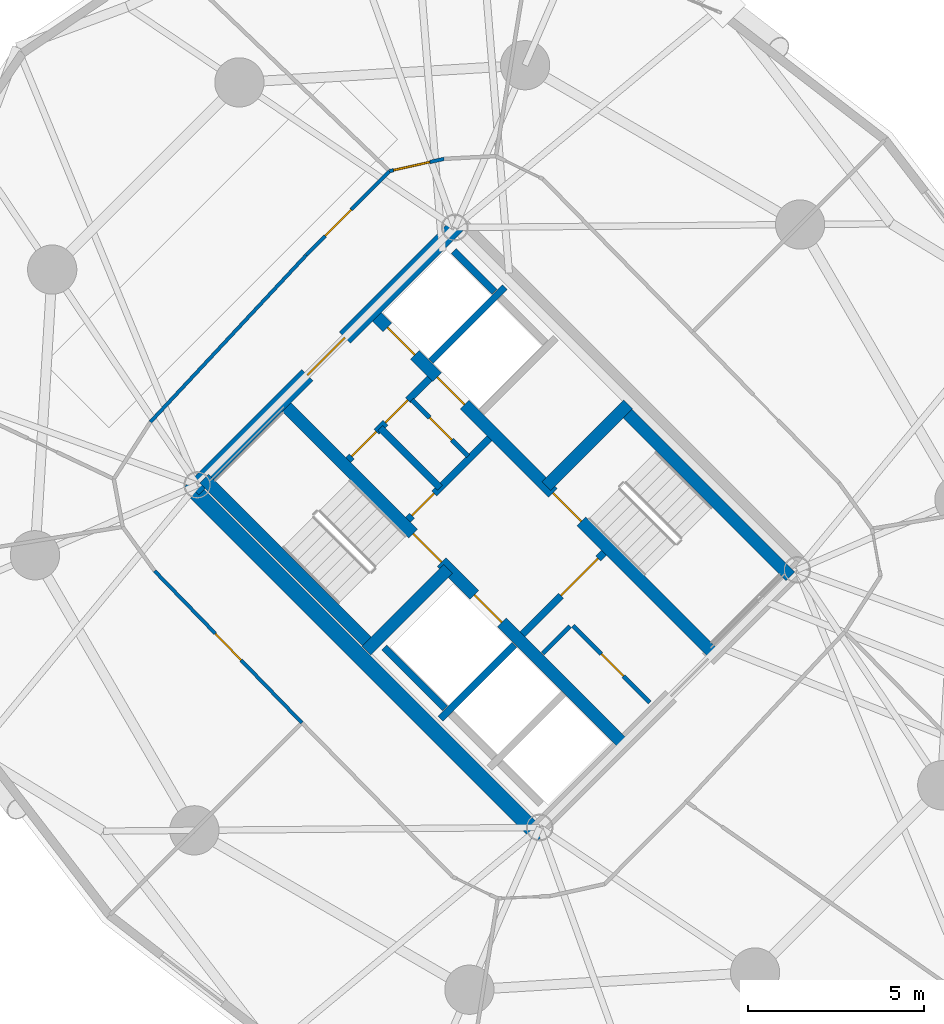
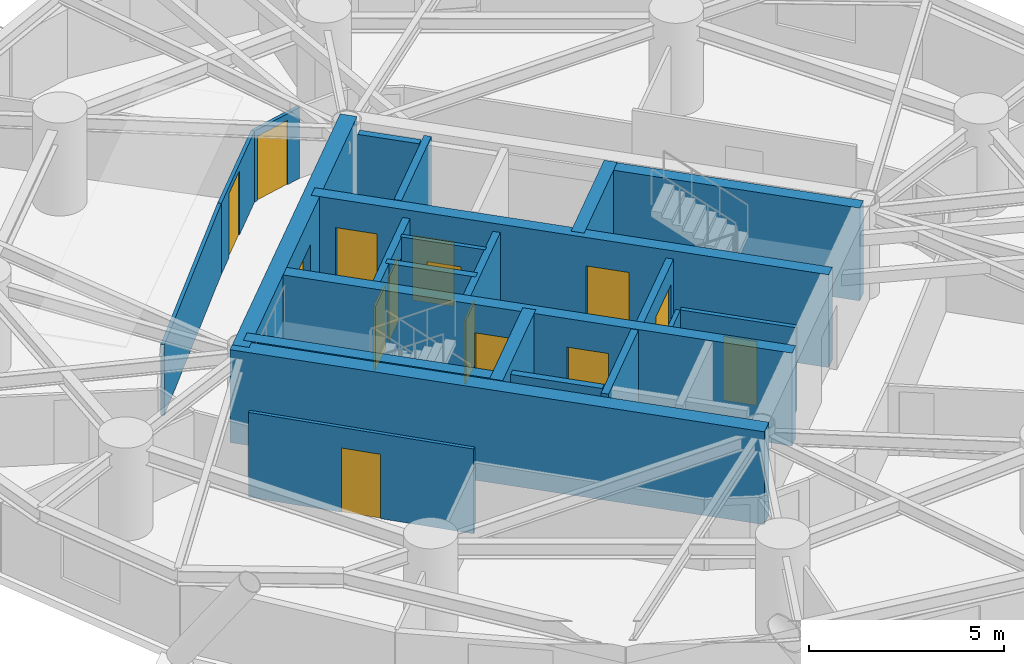
# One storey, part 13 of 18: 23 walls, 15 doors, 15 openings.
"""IFC4 building model written with IfcOpenShell, lengths in metres."""

import ifcopenshell
import ifcopenshell.guid

model = None  # the IFC model being written
_history = None  # IfcOwnerHistory: only IFC2X3 demands one
_inside = {}  # id of a spatial element -> (the spatial element, [elements in it])
_under = {}  # id of a project, library or spatial element -> (it, [spatial elements below it])
_declared = {}  # id of a project -> (the project, [libraries it declares])
_typed = {}  # id of a type object -> (the type object, [elements of that type])
_made_of = {}  # id of a material, layer set ... -> (it, [elements and type objects made of it])


def new_model(schema):
    """Start an empty IFC model of exactly this schema.

    Asked for "IFC4X3", IfcOpenShell would pick the latest addendum, in which some entities
    have other attributes; the version numbers below select the first issue.
    IFC2X3 requires an IfcOwnerHistory on every rooted entity: one is made here for all.
    """
    global model, _history
    if schema == "IFC4X3":
        model = ifcopenshell.file(schema_version=(4, 3, 0, 0))
    else:
        model = ifcopenshell.file(schema=schema)
    _inside.clear()
    _under.clear()
    _declared.clear()
    _typed.clear()
    _made_of.clear()
    _history = None
    if model.schema == "IFC2X3":
        org = make("IfcOrganization", Name="unknown")
        user = make(
            "IfcPersonAndOrganization",
            ThePerson=make("IfcPerson", FamilyName="unknown"),
            TheOrganization=org,
        )
        app = make(
            "IfcApplication",
            ApplicationDeveloper=org,
            Version="unknown",
            ApplicationFullName="unknown",
            ApplicationIdentifier="unknown",
        )
        _history = make(
            "IfcOwnerHistory",
            OwningUser=user,
            OwningApplication=app,
            ChangeAction="ADDED",
            CreationDate=0,
        )
    return model


def make(cls, **values):
    """One entity of the class cls with the attributes given. An attribute that is None is left unset."""
    return model.create_entity(
        cls, **{name: value for name, value in values.items() if value is not None}
    )


def rooted(cls, **values):
    """An entity with a GlobalId (a new one), such as an element, a storey or a relation."""
    return make(cls, GlobalId=ifcopenshell.guid.new(), OwnerHistory=_history, **values)


def si_unit(unit_type, name, prefix=None):
    """IfcSIUnit, for example si_unit("LENGTHUNIT", "METRE", prefix="MILLI")."""
    return make("IfcSIUnit", UnitType=unit_type, Prefix=prefix, Name=name)


def assignment(units):
    """IfcUnitAssignment: the units of a project."""
    return None if units is None else make("IfcUnitAssignment", Units=units)


def point(xyz):
    """IfcCartesianPoint."""
    return None if xyz is None else make("IfcCartesianPoint", Coordinates=xyz)


def direction(xyz):
    """IfcDirection."""
    return None if xyz is None else make("IfcDirection", DirectionRatios=xyz)


def frame(location, z_axis=None, x_axis=None):
    """IfcAxis2Placement3D, a coordinate frame: its origin and axes. An axis left out is left unset."""
    return make(
        "IfcAxis2Placement3D",
        Location=point(location),
        Axis=direction(z_axis),
        RefDirection=direction(x_axis),
    )


def frame_2d(location, x_axis=None):
    """IfcAxis2Placement2D, a coordinate frame in the plane: its origin and x axis."""
    return make(
        "IfcAxis2Placement2D", Location=point(location), RefDirection=direction(x_axis)
    )


def origin():
    """The frame at (0, 0, 0) with its axes left unset."""
    return frame((0.0, 0.0, 0.0))


def place(relative_to, where):
    """IfcLocalPlacement: puts the frame where relative to a parent placement (None: the world)."""
    return make(
        "IfcLocalPlacement", PlacementRelTo=relative_to, RelativePlacement=where
    )


def context(
    kind, dimensions, precision=None, world=None, true_north=None, identifier=None
):
    """IfcGeometricRepresentationContext, for example the 3D "Model" context."""
    return make(
        "IfcGeometricRepresentationContext",
        ContextIdentifier=identifier,
        ContextType=kind,
        CoordinateSpaceDimension=dimensions,
        Precision=precision,
        WorldCoordinateSystem=world,
        TrueNorth=true_north,
    )


def subcontext(parent, identifier, kind, view, scale=None):
    """IfcGeometricRepresentationSubContext, for example "Body" below "Model"."""
    return make(
        "IfcGeometricRepresentationSubContext",
        ContextIdentifier=identifier,
        ContextType=kind,
        ParentContext=parent,
        TargetScale=scale,
        TargetView=view,
    )


def project(units=None, contexts=None):
    """IfcProject with its units and contexts."""
    return rooted(
        "IfcProject",
        Name="project",
        RepresentationContexts=contexts,
        UnitsInContext=assignment(units),
    )


def spatial(cls, under=None, at=None, **own):
    """A site, building, storey or space (cls), placed at a placement, below another one or the project."""
    s = rooted(cls, ObjectPlacement=at, **own)
    if under is not None:
        _under.setdefault(under.id(), (under, []))[1].append(s)
    return s


def profile(cls, at=None, kind="AREA", **sizes):
    """A parametric profile (cls). Its sizes go by their IFC names, for example OverallWidth=200.0."""
    return make(cls, ProfileType=kind, Position=at, **sizes)


def rectangle(**sizes):
    """IfcRectangleProfileDef."""
    return profile("IfcRectangleProfileDef", **sizes)


def extrude(swept, where, along, depth):
    """IfcExtrudedAreaSolid: the profile swept, set in the frame where, extruded along a direction by depth."""
    return make(
        "IfcExtrudedAreaSolid",
        SweptArea=swept,
        Position=where,
        ExtrudedDirection=direction(along),
        Depth=depth,
    )


def shape(context_of_items, identifier, shape_type, items):
    """IfcShapeRepresentation: the items that make up one representation, for example the "Body"."""
    return make(
        "IfcShapeRepresentation",
        ContextOfItems=context_of_items,
        RepresentationIdentifier=identifier,
        RepresentationType=shape_type,
        Items=items,
    )


def source(mapping_origin, context_of_items, identifier, shape_type, items):
    """IfcRepresentationMap: a shape defined once, which mapped items show again and again."""
    return make(
        "IfcRepresentationMap",
        MappingOrigin=mapping_origin,
        MappedRepresentation=shape(context_of_items, identifier, shape_type, items),
    )


def transform(
    local_origin,
    x_axis=None,
    y_axis=None,
    z_axis=None,
    scale=None,
    scale2=None,
    scale3=None,
    uniform=True,
):
    """IfcCartesianTransformationOperator3D, or its non-uniform kind. x_axis, y_axis, z_axis: its Axis1, 2, 3."""
    if uniform:
        return make(
            "IfcCartesianTransformationOperator3D",
            Axis1=direction(x_axis),
            Axis2=direction(y_axis),
            LocalOrigin=point(local_origin),
            Scale=scale,
            Axis3=direction(z_axis),
        )
    return make(
        "IfcCartesianTransformationOperator3DnonUniform",
        Axis1=direction(x_axis),
        Axis2=direction(y_axis),
        LocalOrigin=point(local_origin),
        Scale=scale,
        Axis3=direction(z_axis),
        Scale2=scale2,
        Scale3=scale3,
    )


def mapped(mapping_source, mapping_target):
    """IfcMappedItem: shows the shape of a source again, moved by a transform."""
    return make(
        "IfcMappedItem", MappingSource=mapping_source, MappingTarget=mapping_target
    )


def material(Name=None, Category=None):
    """IfcMaterial."""
    return make("IfcMaterial", Name=Name, Category=Category)


def layer(
    of_material, thickness, ventilated=None, Name=None, Category=None, Priority=None
):
    """IfcMaterialLayer: one layer of a wall or slab, of a material (None: an air gap)."""
    return make(
        "IfcMaterialLayer",
        Material=of_material,
        LayerThickness=thickness,
        IsVentilated=ventilated,
        Name=Name,
        Category=Category,
        Priority=Priority,
    )


def layer_set(layers, Name=None):
    """IfcMaterialLayerSet."""
    return make("IfcMaterialLayerSet", MaterialLayers=layers, LayerSetName=Name)


def made_of(thing, what):
    """Note that an element or type object is made of a material, layer set ...; save() writes the relation."""
    if what is not None:
        _made_of.setdefault(what.id(), (what, []))[1].append(thing)
    return thing


def type_object(cls, material=None, **own):
    """A type object (cls), such as IfcWallType, which elements share."""
    return made_of(rooted(cls, **own), material)


def element(
    cls,
    number,
    at=None,
    inside=None,
    cuts=None,
    type_object=None,
    material=None,
    context=None,
    identifier="Body",
    shape_type=None,
    held_by="IfcProductDefinitionShape",
    body=None,
    shapes=None,
    **own,
):
    """One element of the class cls, such as IfcWall. Its Tag is "e" and its number.

    at: its placement. inside: the storey or other place that contains it. cuts: it is an
    opening in that element (IfcRelVoidsElement). A single representation is given by context,
    identifier, shape_type and body (its items); several are given by shapes. held_by: the class
    of the entity that holds the representations. save() writes the other relations.
    """
    e = rooted(cls, Tag="e%d" % number, ObjectPlacement=at, **own)
    if body is not None:
        shapes = [shape(context, identifier, shape_type, body)]
    if shapes is not None:
        e.Representation = make(held_by, Representations=shapes)
    if inside is not None:
        _inside.setdefault(inside.id(), (inside, []))[1].append(e)
    if cuts is not None:
        rooted(
            "IfcRelVoidsElement", RelatingBuildingElement=cuts, RelatedOpeningElement=e
        )
    if type_object is not None:
        _typed.setdefault(type_object.id(), (type_object, []))[1].append(e)
    return made_of(e, material)


def fill(opening, filler):
    """IfcRelFillsElement: the door or window that sits in an opening."""
    return rooted(
        "IfcRelFillsElement",
        RelatingOpeningElement=opening,
        RelatedBuildingElement=filler,
    )


def aggregate(whole, parts):
    """IfcRelAggregates: a whole, such as a stair, and the parts it consists of."""
    return rooted("IfcRelAggregates", RelatingObject=whole, RelatedObjects=parts)


def save(model, path):
    """Write the relations noted so far, then the file.

    IfcRelAggregates (storeys below a building ...), IfcRelContainedInSpatialStructure (elements
    in a storey), IfcRelDefinesByType, IfcRelAssociatesMaterial and IfcRelDeclares: one each for
    every whole, place, type object, material and project.
    """
    for whole, parts in _under.values():
        aggregate(whole, parts)
    for where, things in _inside.values():
        rooted(
            "IfcRelContainedInSpatialStructure",
            RelatedElements=things,
            RelatingStructure=where,
        )
    for kind, things in _typed.values():
        rooted("IfcRelDefinesByType", RelatedObjects=things, RelatingType=kind)
    for what, things in _made_of.values():
        rooted("IfcRelAssociatesMaterial", RelatedObjects=things, RelatingMaterial=what)
    for by, libraries in _declared.values():
        rooted("IfcRelDeclares", RelatingContext=by, RelatedDefinitions=libraries)
    model.write(path)


model = new_model("IFC4")

# Units and contexts
model_context = context("Model", 3, precision=1e-05, world=origin(), true_north=direction((0.0, 1.0)))
body_context = subcontext(model_context, "Body", "Model", "MODEL_VIEW")
ifc_project = project(units=[si_unit("LENGTHUNIT", "METRE"), si_unit("AREAUNIT", "SQUARE_METRE"), si_unit("VOLUMEUNIT", "CUBIC_METRE"), si_unit("PLANEANGLEUNIT", "RADIAN"), si_unit("MASSUNIT", "GRAM", prefix="KILO")], contexts=[model_context])

# Site, building, storey
site_placement = place(None, origin())
site = spatial("IfcSite", under=ifc_project, at=site_placement, CompositionType="ELEMENT")
building_placement = place(site_placement, origin())
building = spatial("IfcBuilding", under=site, at=building_placement, Name="Cununo Teusaquillo Station Towers", CompositionType="ELEMENT")
storey_placement = place(building_placement, frame((0.0, 0.0, 102.159912109375)))
storey = spatial("IfcBuildingStorey", under=building, at=storey_placement, Name="L32", CompositionType="ELEMENT", Elevation=102.159912109375)

# Walls
ifc_material_1 = material(Name="Concrete C50/60", Category="concrete")
ifc_layer_1 = layer(ifc_material_1, 0.199951171875)
ifc_layer_set_1 = layer_set([ifc_layer_1], Name="Concrete C50/60")
wall_type_1 = type_object("IfcWallType", Name="WL-CORE-200", PredefinedType="SHEAR", material=ifc_layer_set_1)
wall_1_placement = place(storey_placement, frame((55.8876953125, 19.0693359375, 0.0), z_axis=(0.0, 0.0, 1.0), x_axis=(0.707106781187, 0.707106781187, 0.0)))
element("IfcWall", 1, at=wall_1_placement, inside=storey, type_object=wall_type_1, Name="L32 Tower B Firefighting Lift Shaft South Shear Wall", PredefinedType="SHEAR", context=body_context, shape_type="SweptSolid", body=[
    extrude(rectangle(XDim=2.969970703125, YDim=0.199951171875, at=frame_2d((1.48486328125, 0.0))), origin(), (0.0, 0.0, 1.0), 2.91015625),
])
wall_2_placement = place(storey_placement, frame((56.01513671875, 19.366455078125, 0.0), z_axis=(0.0, 0.0, 1.0), x_axis=(-0.707106781187, 0.707106781187, 0.0)))
element("IfcWall", 2, at=wall_2_placement, inside=storey, type_object=wall_type_1, Name="L32 Tower B Firefighting Lift Shaft Rear Shear Wall", PredefinedType="SHEAR", context=body_context, shape_type="SweptSolid", body=[
    extrude(rectangle(XDim=2.43994140625, YDim=0.199951171875, at=frame_2d((1.219970703125, 0.0))), origin(), (0.0, 0.0, 1.0), 2.91015625),
])
wall_3_placement = place(storey_placement, frame((55.615478515625, 29.22705078125, 0.0), z_axis=(0.0, 0.0, 1.0), x_axis=(0.707147878904, 0.70706568108, 0.0)))
element("IfcWall", 3, at=wall_3_placement, inside=storey, type_object=wall_type_1, Name="L32 Tower B Low-Rise Lift Hoistway Divider Shear Wall", PredefinedType="SHEAR", context=body_context, shape_type="SweptSolid", body=[
    extrude(rectangle(XDim=2.97021484375, YDim=0.199951171875, at=frame_2d((1.485107421875, 0.0))), origin(), (0.0, 0.0, 1.0), 2.91015625),
])
wall_4_placement = place(storey_placement, frame((57.418701171875, 31.19970703125, 0.0), z_axis=(0.0, 0.0, 1.0), x_axis=(-0.707032117043, 0.707181437447, 0.0)))
element("IfcWall", 4, at=wall_4_placement, inside=storey, type_object=wall_type_1, Name="L32 Tower B Low-Rise Lift 2 Shaft Rear Shear Wall", PredefinedType="SHEAR", context=body_context, shape_type="SweptSolid", body=[
    extrude(rectangle(XDim=1.635009765625, YDim=0.199951171875, at=frame_2d((0.8173828125, 0.0))), origin(), (0.0, 0.0, 1.0), 2.91015625),
])

# Wall, openings, doors
ifc_material_2 = material(Name="Concrete C50/60", Category="concrete")
ifc_layer_2 = layer(ifc_material_2, 0.35009765625)
ifc_layer_set_2 = layer_set([ifc_layer_2], Name="Concrete C50/60")
wall_type_2 = type_object("IfcWallType", Name="WL-CORE-350", PredefinedType="SHEAR", material=ifc_layer_set_2)
wall_5_placement = place(storey_placement, frame((61.077880859375, 18.355224609375, 0.0), z_axis=(0.0, 0.0, 1.0), x_axis=(-0.707106781187, 0.707106781187, 0.0)))
wall_5 = element("IfcWall", 5, at=wall_5_placement, inside=storey, type_object=wall_type_2, Name="L32 Tower B Core Shear Wall IW", PredefinedType="SHEAR", context=body_context, shape_type="SweptSolid", body=[
    extrude(rectangle(XDim=13.75, YDim=0.35009765625, at=frame_2d((6.875, 0.0))), origin(), (0.0, 0.0, 1.0), 2.91015625),
])
shared_shape_1 = source(origin(), body_context, "Body", "SweptSolid", [
    extrude(rectangle(XDim=1.10009765625, YDim=2.014892578125, at=frame_2d((0.550048828125, 1.00732421875))), frame((0.0, 0.18505859375, 0.0), z_axis=(0.0, -1.0, 0.0), x_axis=(1.0, 0.0, 0.0)), (0.0, 0.0, 1.0), 0.3701171875),
])
opening_1_placement = place(wall_5_placement, frame((4.875, 0.0, 0.0)))
opening_1 = element("IfcOpeningElement", 6, at=opening_1_placement, cuts=wall_5, Name="Opening LD-01", PredefinedType="OPENING", context=body_context, shape_type="MappedRepresentation", body=[
    mapped(shared_shape_1, transform((0.0, 0.0, 0.0), x_axis=(1.0, 0.0, 0.0), y_axis=(0.0, 1.0, 0.0), z_axis=(0.0, 0.0, 1.0), scale=1.0)),
])
shared_shape_2 = source(origin(), body_context, "Body", "SweptSolid", [
    extrude(rectangle(XDim=1.14990234375, YDim=2.02001953125, at=frame_2d((0.574951171875, 1.010009765625))), frame((0.0, 0.18505859375, 0.0), z_axis=(0.0, -1.0, 0.0), x_axis=(1.0, 0.0, 0.0)), (0.0, 0.0, 1.0), 0.3701171875),
])
opening_2_placement = place(wall_5_placement, frame((7.294921875, 0.0, 0.0)))
opening_2 = element("IfcOpeningElement", 7, at=opening_2_placement, cuts=wall_5, Name="Opening D-ST1", PredefinedType="OPENING", context=body_context, shape_type="MappedRepresentation", body=[
    mapped(shared_shape_2, transform((0.0, 0.0, 0.0), x_axis=(1.0, 0.0, 0.0), y_axis=(0.0, 1.0, 0.0), z_axis=(0.0, 0.0, 1.0), scale=1.0)),
])
ifc_material_3 = material(Name="Galvanised fire-rated hollow steel door assembly", Category="steel")
door_type_1 = type_object("IfcDoorType", Name="DR-LIFT-1100", OperationType="SLIDING_TO_LEFT", PredefinedType="DOOR", material=ifc_material_3)
shared_shape_3 = source(origin(), body_context, "Body", "SweptSolid", [
    extrude(rectangle(XDim=1.10009765625, YDim=2.014892578125, at=frame_2d((0.550048828125, 1.00732421875))), frame((0.0, 0.02490234375, 0.0), z_axis=(0.0, -1.0, 0.0), x_axis=(1.0, 0.0, 0.0)), (0.0, 0.0, 1.0), 0.050048828125),
])
door_1_placement = place(opening_1_placement, origin())
door_1 = element("IfcDoor", 8, at=door_1_placement, inside=storey, type_object=door_type_1, Name="L32 Lift FL-T2 Sliding Landing Door", OperationType="SLIDING_TO_RIGHT", OverallHeight=2.014892578125, OverallWidth=1.10009765625, PredefinedType="DOOR", context=body_context, shape_type="MappedRepresentation", body=[
    mapped(shared_shape_3, transform((0.0, 0.0, 0.0), x_axis=(1.0, 0.0, 0.0), y_axis=(0.0, 1.0, 0.0), z_axis=(0.0, 0.0, 1.0), scale=1.0)),
])
fill(opening_1, door_1)
ifc_material_4 = material(Name="Galvanised fire-rated hollow steel door assembly", Category="steel")
door_type_2 = type_object("IfcDoorType", Name="DR-STAIR-1150", OperationType="NOTDEFINED", PredefinedType="DOOR", material=ifc_material_4)
shared_shape_4 = source(origin(), body_context, "Body", "SweptSolid", [
    extrude(rectangle(XDim=1.14990234375, YDim=2.02001953125, at=frame_2d((0.574951171875, 1.010009765625))), frame((0.0, 0.02490234375, 0.0), z_axis=(0.0, -1.0, 0.0), x_axis=(1.0, 0.0, 0.0)), (0.0, 0.0, 1.0), 0.050048828125),
])
door_2_placement = place(opening_2_placement, origin())
door_2 = element("IfcDoor", 9, at=door_2_placement, inside=storey, type_object=door_type_2, Name="L32 Tower B Exit Stair 1 Fire Door", OperationType="SINGLE_SWING_LEFT", OverallHeight=2.02001953125, OverallWidth=1.14990234375, PredefinedType="DOOR", context=body_context, shape_type="MappedRepresentation", body=[
    mapped(shared_shape_4, transform((0.0, 0.0, 0.0), x_axis=(1.0, 0.0, 0.0), y_axis=(0.0, 1.0, 0.0), z_axis=(0.0, 0.0, 1.0), scale=1.0)),
])
fill(opening_2, door_2)

wall_6_placement = place(storey_placement, frame((63.644775390625, 20.922119140625, 0.0), z_axis=(0.0, 0.0, 1.0), x_axis=(-0.707106781187, 0.707106781187, 0.0)))
wall_6 = element("IfcWall", 10, at=wall_6_placement, inside=storey, type_object=wall_type_2, Name="L32 Tower B Core Shear Wall IE", PredefinedType="SHEAR", context=body_context, shape_type="SweptSolid", body=[
    extrude(rectangle(XDim=13.75, YDim=0.35009765625, at=frame_2d((6.875, 0.0))), origin(), (0.0, 0.0, 1.0), 2.91015625),
])
opening_3_placement = place(wall_6_placement, frame((10.0, 0.0, 0.0)))
opening_3 = element("IfcOpeningElement", 11, at=opening_3_placement, cuts=wall_6, Name="Opening LD-01", PredefinedType="OPENING", context=body_context, shape_type="MappedRepresentation", body=[
    mapped(shared_shape_1, transform((0.0, 0.0, 0.0), x_axis=(1.0, 0.0, 0.0), y_axis=(0.0, 1.0, 0.0), z_axis=(0.0, 0.0, 1.0), scale=1.0)),
])
opening_4_placement = place(wall_6_placement, frame((12.0, 0.0, 0.0)))
opening_4 = element("IfcOpeningElement", 12, at=opening_4_placement, cuts=wall_6, Name="Opening LD-01", PredefinedType="OPENING", context=body_context, shape_type="MappedRepresentation", body=[
    mapped(shared_shape_1, transform((0.0, 0.0, 0.0), x_axis=(1.0, 0.0, 0.0), y_axis=(0.0, 1.0, 0.0), z_axis=(0.0, 0.0, 1.0), scale=1.0)),
])
opening_5_placement = place(wall_6_placement, frame((5.304931640625, 0.0, 0.0)))
opening_5 = element("IfcOpeningElement", 13, at=opening_5_placement, cuts=wall_6, Name="Opening D-ST1", PredefinedType="OPENING", context=body_context, shape_type="MappedRepresentation", body=[
    mapped(shared_shape_2, transform((0.0, 0.0, 0.0), x_axis=(1.0, 0.0, 0.0), y_axis=(0.0, 1.0, 0.0), z_axis=(0.0, 0.0, 1.0), scale=1.0)),
])
door_3_placement = place(opening_3_placement, origin())
door_3 = element("IfcDoor", 14, at=door_3_placement, inside=storey, type_object=door_type_1, Name="L32 Lift PL-T2-L1 Sliding Landing Door", OperationType="SLIDING_TO_RIGHT", OverallHeight=2.014892578125, OverallWidth=1.10009765625, PredefinedType="DOOR", context=body_context, shape_type="MappedRepresentation", body=[
    mapped(shared_shape_3, transform((0.0, 0.0, 0.0), x_axis=(1.0, 0.0, 0.0), y_axis=(0.0, 1.0, 0.0), z_axis=(0.0, 0.0, 1.0), scale=1.0)),
])
fill(opening_3, door_3)
door_4_placement = place(opening_4_placement, origin())
door_4 = element("IfcDoor", 15, at=door_4_placement, inside=storey, type_object=door_type_1, Name="L32 Lift PL-T2-L2 Sliding Landing Door", OperationType="SLIDING_TO_LEFT", OverallHeight=2.014892578125, OverallWidth=1.10009765625, PredefinedType="DOOR", context=body_context, shape_type="MappedRepresentation", body=[
    mapped(shared_shape_3, transform((0.0, 0.0, 0.0), x_axis=(1.0, 0.0, 0.0), y_axis=(0.0, 1.0, 0.0), z_axis=(0.0, 0.0, 1.0), scale=1.0)),
])
fill(opening_4, door_4)
door_5_placement = place(opening_5_placement, origin())
door_5 = element("IfcDoor", 16, at=door_5_placement, inside=storey, type_object=door_type_2, Name="L32 Tower B Exit Stair 2 Fire Door", OperationType="SINGLE_SWING_RIGHT", OverallHeight=2.02001953125, OverallWidth=1.14990234375, PredefinedType="DOOR", context=body_context, shape_type="MappedRepresentation", body=[
    mapped(shared_shape_4, transform((0.0, 0.0, 0.0), x_axis=(1.0, 0.0, 0.0), y_axis=(0.0, 1.0, 0.0), z_axis=(0.0, 0.0, 1.0), scale=1.0)),
])
fill(opening_5, door_5)

# Walls
wall_7_placement = place(storey_placement, frame((53.922119140625, 21.14111328125, 0.0), z_axis=(0.0, 0.0, 1.0), x_axis=(-0.707088616009, 0.707124945897, 0.0)))
element("IfcWall", 17, at=wall_7_placement, inside=storey, type_object=wall_type_2, Name="L32 Tower B Core Shear Wall ST1W", PredefinedType="SHEAR", context=body_context, shape_type="SweptSolid", body=[
    extrude(rectangle(XDim=6.72021484375, YDim=0.35009765625, at=frame_2d((3.360107421875, 0.0))), origin(), (0.0, 0.0, 1.0), 2.91015625),
])
wall_8_placement = place(storey_placement, frame((53.7841796875, 21.00341796875, 0.0), z_axis=(0.0, 0.0, 1.0), x_axis=(0.707106781187, 0.707106781187, 0.0)))
element("IfcWall", 18, at=wall_8_placement, inside=storey, type_object=wall_type_2, Name="L32 Tower B Core Shear Wall ST1S", PredefinedType="SHEAR", context=body_context, shape_type="SweptSolid", body=[
    extrude(rectangle(XDim=3.284912109375, YDim=0.35009765625, at=frame_2d((1.642578125, 0.0))), origin(), (0.0, 0.0, 1.0), 2.91015625),
])
wall_9_placement = place(storey_placement, frame((65.82958984375, 23.10693359375, 0.0), z_axis=(0.0, 0.0, 1.0), x_axis=(-0.707088616009, 0.707124945897, 0.0)))
element("IfcWall", 19, at=wall_9_placement, inside=storey, type_object=wall_type_2, Name="L32 Tower B Core Shear Wall ST2E", PredefinedType="SHEAR", context=body_context, shape_type="SweptSolid", body=[
    extrude(rectangle(XDim=6.72021484375, YDim=0.35009765625, at=frame_2d((3.360107421875, 0.0))), origin(), (0.0, 0.0, 1.0), 2.91015625),
])
wall_10_placement = place(storey_placement, frame((58.89306640625, 25.673828125, 0.0), z_axis=(0.0, 0.0, 1.0), x_axis=(0.707106781187, 0.707106781187, 0.0)))
element("IfcWall", 20, at=wall_10_placement, inside=storey, type_object=wall_type_2, Name="L32 Tower B Core Shear Wall ST2N", PredefinedType="SHEAR", context=body_context, shape_type="SweptSolid", body=[
    extrude(rectangle(XDim=3.284912109375, YDim=0.35009765625, at=frame_2d((1.642578125, 0.0))), origin(), (0.0, 0.0, 1.0), 2.91015625),
])
ifc_material_5 = material(Name="Concrete C60/75", Category="concrete")
ifc_layer_3 = layer(ifc_material_5, 0.449951171875)
ifc_layer_set_3 = layer_set([ifc_layer_3], Name="Concrete C60/75")
wall_type_3 = type_object("IfcWallType", Name="WL-CORE-450", PredefinedType="SHEAR", material=ifc_layer_set_3)
wall_11_placement = place(storey_placement, frame((58.7373046875, 15.696533203125, 0.0), z_axis=(0.0, 0.0, 1.0), x_axis=(-0.707106781187, 0.707106781187, 0.0)))
element("IfcWall", 21, at=wall_11_placement, inside=storey, type_object=wall_type_3, Name="L32 Tower B Core Shear Wall W", PredefinedType="SHEAR", context=body_context, shape_type="SweptSolid", body=[
    extrude(rectangle(XDim=14.19970703125, YDim=0.449951171875, at=frame_2d((7.099853515625, 0.0))), origin(), (0.0, 0.0, 1.0), 2.91015625),
])

# Wall, opening, door
wall_12_placement = place(storey_placement, frame((48.855712890625, 25.578369140625, 0.0), z_axis=(0.0, 0.0, 1.0), x_axis=(0.707106781187, 0.707106781187, 0.0)))
wall_12 = element("IfcWall", 22, at=wall_12_placement, inside=storey, type_object=wall_type_3, Name="L32 Tower B Core Shear Wall N", PredefinedType="SHEAR", context=body_context, shape_type="SweptSolid", body=[
    extrude(rectangle(XDim=10.69970703125, YDim=0.449951171875, at=frame_2d((5.349853515625, 0.0))), origin(), (0.0, 0.0, 1.0), 2.91015625),
])
shared_shape_5 = source(origin(), body_context, "Body", "SweptSolid", [
    extrude(rectangle(XDim=1.5, YDim=2.02001953125, at=frame_2d((0.75, 1.010009765625))), frame((0.0, 0.23486328125, 0.0), z_axis=(0.0, -1.0, 0.0), x_axis=(1.0, 0.0, 0.0)), (0.0, 0.0, 1.0), 0.469970703125),
])
opening_6_placement = place(wall_12_placement, frame((4.60009765625, 0.0, 0.0)))
opening_6 = element("IfcOpeningElement", 23, at=opening_6_placement, cuts=wall_12, Name="Opening D-LB1", PredefinedType="OPENING", context=body_context, shape_type="MappedRepresentation", body=[
    mapped(shared_shape_5, transform((0.0, 0.0, 0.0), x_axis=(1.0, 0.0, 0.0), y_axis=(0.0, 1.0, 0.0), z_axis=(0.0, 0.0, 1.0), scale=1.0)),
])
ifc_material_6 = material(Name="Galvanised fire-rated hollow steel door assembly", Category="steel")
door_type_3 = type_object("IfcDoorType", Name="DR-LOBBY-1500", OperationType="DOUBLE_DOOR_SINGLE_SWING", PredefinedType="DOOR", material=ifc_material_6)
shared_shape_6 = source(origin(), body_context, "Body", "SweptSolid", [
    extrude(rectangle(XDim=1.5, YDim=2.02001953125, at=frame_2d((0.75, 1.010009765625))), frame((0.0, 0.02490234375, 0.0), z_axis=(0.0, -1.0, 0.0), x_axis=(1.0, 0.0, 0.0)), (0.0, 0.0, 1.0), 0.050048828125),
])
door_6_placement = place(opening_6_placement, origin())
door_6 = element("IfcDoor", 24, at=door_6_placement, inside=storey, type_object=door_type_3, Name="L32 Tower B North Core Lift Lobby Door", OperationType="DOUBLE_DOOR_SINGLE_SWING", OverallHeight=2.02001953125, OverallWidth=1.5, PredefinedType="DOOR", context=body_context, shape_type="MappedRepresentation", body=[
    mapped(shared_shape_6, transform((0.0, 0.0, 0.0), x_axis=(1.0, 0.0, 0.0), y_axis=(0.0, 1.0, 0.0), z_axis=(0.0, 0.0, 1.0), scale=1.0)),
])
fill(opening_6, door_6)

ifc_material_7 = material(Name="Fire-rated gypsum plasterboard partition assembly", Category="gypsum")
ifc_layer_4 = layer(ifc_material_7, 0.10009765625)
ifc_layer_set_4 = layer_set([ifc_layer_4], Name="Fire-rated gypsum plasterboard partition assembly")
wall_type_4 = type_object("IfcWallType", Name="WL-PART-100", PredefinedType="MOVABLE", material=ifc_layer_set_4)
wall_13_placement = place(storey_placement, frame((55.98779296875, 34.97412109375, 0.0), z_axis=(0.0, 0.0, 1.0), x_axis=(-0.975666565154, -0.219259557695, 0.0)))
wall_13 = element("IfcWall", 25, at=wall_13_placement, inside=storey, type_object=wall_type_4, Name="L32 Tower B Corridor Ring Wall C03", PredefinedType="MOVABLE", context=body_context, shape_type="SweptSolid", body=[
    extrude(rectangle(XDim=1.586669921875, YDim=0.10009765625, at=frame_2d((0.79345703125, 0.0))), origin(), (0.0, 0.0, 1.0), 2.22509765625),
])
shared_shape_7 = source(origin(), body_context, "Body", "SweptSolid", [
    extrude(rectangle(XDim=1.050048828125, YDim=2.014892578125, at=frame_2d((0.52490234375, 1.00732421875))), frame((0.0, 0.06005859375, 0.0), z_axis=(0.0, -1.0, 0.0), x_axis=(1.0, 0.0, 0.0)), (0.0, 0.0, 1.0), 0.1201171875),
])
opening_7_placement = place(wall_13_placement, frame((0.416748046875, 0.0, 0.0)))
opening_7 = element("IfcOpeningElement", 26, at=opening_7_placement, cuts=wall_13, Name="Opening D-SU1", PredefinedType="OPENING", context=body_context, shape_type="MappedRepresentation", body=[
    mapped(shared_shape_7, transform((0.0, 0.0, 0.0), x_axis=(1.0, 0.0, 0.0), y_axis=(0.0, 1.0, 0.0), z_axis=(0.0, 0.0, 1.0), scale=1.0)),
])
ifc_material_8 = material(Name="Acoustic solid-core hardwood leaf assembly", Category="wood")
door_type_4 = type_object("IfcDoorType", Name="DR-SUITE-1050", OperationType="NOTDEFINED", PredefinedType="DOOR", material=ifc_material_8)
shared_shape_8 = source(origin(), body_context, "Body", "SweptSolid", [
    extrude(rectangle(XDim=1.050048828125, YDim=2.014892578125, at=frame_2d((0.52490234375, 1.00732421875))), frame((0.0, 0.02490234375, 0.0), z_axis=(0.0, -1.0, 0.0), x_axis=(1.0, 0.0, 0.0)), (0.0, 0.0, 1.0), 0.050048828125),
])
door_7_placement = place(opening_7_placement, origin())
door_7 = element("IfcDoor", 27, at=door_7_placement, inside=storey, type_object=door_type_4, Name="L32 Tower B Quantitative Risk Analytics Practice Entrance Door", OperationType="SINGLE_SWING_RIGHT", OverallHeight=2.014892578125, OverallWidth=1.050048828125, PredefinedType="DOOR", context=body_context, shape_type="MappedRepresentation", body=[
    mapped(shared_shape_8, transform((0.0, 0.0, 0.0), x_axis=(1.0, 0.0, 0.0), y_axis=(0.0, 1.0, 0.0), z_axis=(0.0, 0.0, 1.0), scale=1.0)),
])
fill(opening_7, door_7)

wall_14_placement = place(storey_placement, frame((54.439697265625, 34.626220703125, 0.0), z_axis=(0.0, 0.0, 1.0), x_axis=(-0.703978840546, -0.710220945948, 0.0)))
wall_14 = element("IfcWall", 28, at=wall_14_placement, inside=storey, type_object=wall_type_4, Name="L32 Tower B Corridor Ring Wall C04", PredefinedType="MOVABLE", context=body_context, shape_type="SweptSolid", body=[
    extrude(rectangle(XDim=3.363525390625, YDim=0.10009765625, at=frame_2d((1.681640625, 0.0))), origin(), (0.0, 0.0, 1.0), 2.22509765625),
])
opening_8_placement = place(wall_14_placement, frame((1.545654296875, 0.0, 0.0)))
opening_8 = element("IfcOpeningElement", 29, at=opening_8_placement, cuts=wall_14, Name="Opening D-SU1", PredefinedType="OPENING", context=body_context, shape_type="MappedRepresentation", body=[
    mapped(shared_shape_7, transform((0.0, 0.0, 0.0), x_axis=(1.0, 0.0, 0.0), y_axis=(0.0, 1.0, 0.0), z_axis=(0.0, 0.0, 1.0), scale=1.0)),
])
door_8_placement = place(opening_8_placement, origin())
door_8 = element("IfcDoor", 30, at=door_8_placement, inside=storey, type_object=door_type_4, Name="L32 Tower B Compliance & Audit Office Entrance Door", OperationType="SINGLE_SWING_LEFT", OverallHeight=2.014892578125, OverallWidth=1.050048828125, PredefinedType="DOOR", context=body_context, shape_type="MappedRepresentation", body=[
    mapped(shared_shape_8, transform((0.0, 0.0, 0.0), x_axis=(1.0, 0.0, 0.0), y_axis=(0.0, 1.0, 0.0), z_axis=(0.0, 0.0, 1.0), scale=1.0)),
])
fill(opening_8, door_8)

# Wall
wall_15_placement = place(storey_placement, frame((52.07177734375, 32.2373046875, 0.0), z_axis=(0.0, 0.0, 1.0), x_axis=(-0.682528774423, -0.730858722383, 0.0)))
element("IfcWall", 31, at=wall_15_placement, inside=storey, type_object=wall_type_4, Name="L32 Tower B Corridor Ring Wall C05", PredefinedType="MOVABLE", context=body_context, shape_type="SweptSolid", body=[
    extrude(rectangle(XDim=6.486083984375, YDim=0.10009765625, at=frame_2d((3.2431640625, 0.0))), origin(), (0.0, 0.0, 1.0), 2.22509765625),
])

# Wall, opening, door
wall_16_placement = place(storey_placement, frame((47.76318359375, 23.264892578125, 0.0), z_axis=(0.0, 0.0, 1.0), x_axis=(0.696243493404, -0.717805682544, 0.0)))
wall_16 = element("IfcWall", 32, at=wall_16_placement, inside=storey, type_object=wall_type_4, Name="L32 Tower B Corridor Ring Wall C09", PredefinedType="MOVABLE", context=body_context, shape_type="SweptSolid", body=[
    extrude(rectangle(XDim=6.01220703125, YDim=0.10009765625, at=frame_2d((3.006103515625, 0.0))), origin(), (0.0, 0.0, 1.0), 2.655029296875),
])
opening_9_placement = place(wall_16_placement, frame((2.481201171875, 0.0, 0.0)))
opening_9 = element("IfcOpeningElement", 33, at=opening_9_placement, cuts=wall_16, Name="Opening D-SU1", PredefinedType="OPENING", context=body_context, shape_type="MappedRepresentation", body=[
    mapped(shared_shape_7, transform((0.0, 0.0, 0.0), x_axis=(1.0, 0.0, 0.0), y_axis=(0.0, 1.0, 0.0), z_axis=(0.0, 0.0, 1.0), scale=1.0)),
])
door_9_placement = place(opening_9_placement, origin())
door_9 = element("IfcDoor", 34, at=door_9_placement, inside=storey, type_object=door_type_4, Name="L32 Tower B Fixed-Income & FX Execution Desk Entrance Door", OperationType="SINGLE_SWING_LEFT", OverallHeight=2.014892578125, OverallWidth=1.050048828125, PredefinedType="DOOR", context=body_context, shape_type="MappedRepresentation", body=[
    mapped(shared_shape_8, transform((0.0, 0.0, 0.0), x_axis=(1.0, 0.0, 0.0), y_axis=(0.0, 1.0, 0.0), z_axis=(0.0, 0.0, 1.0), scale=1.0)),
])
fill(opening_9, door_9)

ifc_material_9 = material(Name="Fire-rated gypsum plasterboard partition assembly", Category="gypsum")
ifc_layer_5 = layer(ifc_material_9, 0.125)
ifc_layer_set_5 = layer_set([ifc_layer_5], Name="Fire-rated gypsum plasterboard partition assembly")
wall_type_5 = type_object("IfcWallType", Name="WL-PART-125", PredefinedType="PARTITIONING", material=ifc_layer_set_5)
wall_17_placement = place(storey_placement, frame((61.834716796875, 19.529052734375, 0.0), z_axis=(0.0, 0.0, 1.0), x_axis=(-0.707146413884, 0.707067146267, 0.0)))
wall_17 = element("IfcWall", 35, at=wall_17_placement, inside=storey, type_object=wall_type_5, Name="L32 Tower B South-West Tall Store East Wall", PredefinedType="PARTITIONING", context=body_context, shape_type="SweptSolid", body=[
    extrude(rectangle(XDim=3.079833984375, YDim=0.125, at=frame_2d((1.5400390625, 0.0))), origin(), (0.0, 0.0, 1.0), 2.655029296875),
])
shared_shape_9 = source(origin(), body_context, "Body", "SweptSolid", [
    extrude(rectangle(XDim=0.89990234375, YDim=2.0048828125, at=frame_2d((0.449951171875, 1.00244140625))), frame((0.0, 0.072509765625, 0.0), z_axis=(0.0, -1.0, 0.0), x_axis=(1.0, 0.0, 0.0)), (0.0, 0.0, 1.0), 0.14501953125),
])
opening_10_placement = place(wall_17_placement, frame((1.050048828125, 0.0, 0.0)))
opening_10 = element("IfcOpeningElement", 36, at=opening_10_placement, cuts=wall_17, Name="Opening D-SR1", PredefinedType="OPENING", context=body_context, shape_type="MappedRepresentation", body=[
    mapped(shared_shape_9, transform((0.0, 0.0, 0.0), x_axis=(1.0, 0.0, 0.0), y_axis=(0.0, 1.0, 0.0), z_axis=(0.0, 0.0, 1.0), scale=1.0)),
])
ifc_material_10 = material(Name="Galvanised fire-rated hollow steel door assembly", Category="steel")
door_type_5 = type_object("IfcDoorType", Name="DR-STORE-900", OperationType="NOTDEFINED", PredefinedType="DOOR", material=ifc_material_10)
shared_shape_10 = source(origin(), body_context, "Body", "SweptSolid", [
    extrude(rectangle(XDim=0.89990234375, YDim=2.0048828125, at=frame_2d((0.449951171875, 1.00244140625))), frame((0.0, 0.02490234375, 0.0), z_axis=(0.0, -1.0, 0.0), x_axis=(1.0, 0.0, 0.0)), (0.0, 0.0, 1.0), 0.050048828125),
])
door_10_placement = place(opening_10_placement, origin())
door_10 = element("IfcDoor", 37, at=door_10_placement, inside=storey, type_object=door_type_5, Name="L32 Tower B South Cleaners Store Door", OperationType="SINGLE_SWING_LEFT", OverallHeight=2.0048828125, OverallWidth=0.89990234375, PredefinedType="DOOR", context=body_context, shape_type="MappedRepresentation", body=[
    mapped(shared_shape_10, transform((0.0, 0.0, 0.0), x_axis=(1.0, 0.0, 0.0), y_axis=(0.0, 1.0, 0.0), z_axis=(0.0, 0.0, 1.0), scale=1.0)),
])
fill(opening_10, door_10)

# Wall
wall_18_placement = place(storey_placement, frame((58.7939453125, 20.9150390625, 0.0), z_axis=(0.0, 0.0, 1.0), x_axis=(0.707106781187, 0.707106781187, 0.0)))
element("IfcWall", 38, at=wall_18_placement, inside=storey, type_object=wall_type_5, Name="L32 Tower B South-West Tall Store North Wall", PredefinedType="PARTITIONING", context=body_context, shape_type="SweptSolid", body=[
    extrude(rectangle(XDim=1.10009765625, YDim=0.125, at=frame_2d((0.550048828125, 0.0))), origin(), (0.0, 0.0, 1.0), 2.655029296875),
])

# Wall, opening, door
wall_19_placement = place(storey_placement, frame((56.672607421875, 26.529296875, 0.0), z_axis=(0.0, 0.0, 1.0), x_axis=(-0.707052764397, 0.70716079385, 0.0)))
wall_19 = element("IfcWall", 39, at=wall_19_placement, inside=storey, type_object=wall_type_5, Name="L32 Tower B Core Vertical Split Wall", PredefinedType="PARTITIONING", context=body_context, shape_type="SweptSolid", body=[
    extrude(rectangle(XDim=2.260009765625, YDim=0.125, at=frame_2d((1.1298828125, 0.0))), origin(), (0.0, 0.0, 1.0), 2.655029296875),
])
opening_11_placement = place(wall_19_placement, frame((0.64990234375, 0.0, 0.0)))
opening_11 = element("IfcOpeningElement", 40, at=opening_11_placement, cuts=wall_19, Name="Opening D-SR1", PredefinedType="OPENING", context=body_context, shape_type="MappedRepresentation", body=[
    mapped(shared_shape_9, transform((0.0, 0.0, 0.0), x_axis=(1.0, 0.0, 0.0), y_axis=(0.0, 1.0, 0.0), z_axis=(0.0, 0.0, 1.0), scale=1.0)),
])
door_11_placement = place(opening_11_placement, origin())
door_11 = element("IfcDoor", 41, at=door_11_placement, inside=storey, type_object=door_type_5, Name="L32 Tower B Core Electrical Room Door", OperationType="SINGLE_SWING_LEFT", OverallHeight=2.0048828125, OverallWidth=0.89990234375, PredefinedType="DOOR", context=body_context, shape_type="MappedRepresentation", body=[
    mapped(shared_shape_10, transform((0.0, 0.0, 0.0), x_axis=(1.0, 0.0, 0.0), y_axis=(0.0, 1.0, 0.0), z_axis=(0.0, 0.0, 1.0), scale=1.0)),
])
fill(opening_11, door_11)

ifc_material_11 = material(Name="Fire-rated gypsum plasterboard partition assembly", Category="gypsum")
ifc_layer_6 = layer(ifc_material_11, 0.199951171875)
ifc_layer_set_6 = layer_set([ifc_layer_6], Name="Fire-rated gypsum plasterboard partition assembly")
wall_type_6 = type_object("IfcWallType", Name="WL-PART-200", PredefinedType="PARTITIONING", material=ifc_layer_set_6)
wall_20_placement = place(storey_placement, frame((58.214111328125, 21.466552734375, 0.0), z_axis=(0.0, 0.0, 1.0), x_axis=(0.707106781187, 0.707106781187, 0.0)))
wall_20 = element("IfcWall", 42, at=wall_20_placement, inside=storey, type_object=wall_type_6, Name="L32 Tower B Firefighting Lift Lobby South Fire Wall", PredefinedType="PARTITIONING", context=body_context, shape_type="SweptSolid", body=[
    extrude(rectangle(XDim=3.280029296875, YDim=0.199951171875, at=frame_2d((1.64013671875, 0.0))), origin(), (0.0, 0.0, 1.0), 2.655029296875),
])
shared_shape_11 = source(origin(), body_context, "Body", "SweptSolid", [
    extrude(rectangle(XDim=1.5, YDim=2.02001953125, at=frame_2d((0.75, 1.010009765625))), frame((0.0, 0.10986328125, 0.0), z_axis=(0.0, -1.0, 0.0), x_axis=(1.0, 0.0, 0.0)), (0.0, 0.0, 1.0), 0.219970703125),
])
opening_12_placement = place(wall_20_placement, frame((1.550048828125, 0.0, 0.0)))
opening_12 = element("IfcOpeningElement", 43, at=opening_12_placement, cuts=wall_20, Name="Opening D-LB1", PredefinedType="OPENING", context=body_context, shape_type="MappedRepresentation", body=[
    mapped(shared_shape_11, transform((0.0, 0.0, 0.0), x_axis=(1.0, 0.0, 0.0), y_axis=(0.0, 1.0, 0.0), z_axis=(0.0, 0.0, 1.0), scale=1.0)),
])
door_12_placement = place(opening_12_placement, origin())
door_12 = element("IfcDoor", 44, at=door_12_placement, inside=storey, type_object=door_type_3, Name="L32 Tower B Firefighting Lift Lobby South Fire Door", OperationType="DOUBLE_DOOR_SINGLE_SWING", OverallHeight=2.02001953125, OverallWidth=1.5, PredefinedType="DOOR", context=body_context, shape_type="MappedRepresentation", body=[
    mapped(shared_shape_6, transform((0.0, 0.0, 0.0), x_axis=(1.0, 0.0, 0.0), y_axis=(0.0, 1.0, 0.0), z_axis=(0.0, 0.0, 1.0), scale=1.0)),
])
fill(opening_12, door_12)

wall_21_placement = place(storey_placement, frame((54.96142578125, 24.71923828125, 0.0), z_axis=(0.0, 0.0, 1.0), x_axis=(0.707106781187, 0.707106781187, 0.0)))
wall_21 = element("IfcWall", 45, at=wall_21_placement, inside=storey, type_object=wall_type_6, Name="L32 Tower B Firefighting Lift Lobby North Fire Wall", PredefinedType="PARTITIONING", context=body_context, shape_type="SweptSolid", body=[
    extrude(rectangle(XDim=3.280029296875, YDim=0.199951171875, at=frame_2d((1.64013671875, 0.0))), origin(), (0.0, 0.0, 1.0), 2.655029296875),
])
shared_shape_12 = source(origin(), body_context, "Body", "SweptSolid", [
    extrude(rectangle(XDim=0.89990234375, YDim=2.0048828125, at=frame_2d((0.449951171875, 1.00244140625))), frame((0.0, 0.10986328125, 0.0), z_axis=(0.0, -1.0, 0.0), x_axis=(1.0, 0.0, 0.0)), (0.0, 0.0, 1.0), 0.219970703125),
])
opening_13_placement = place(wall_21_placement, frame((0.159912109375, 0.0, 0.0)))
opening_13 = element("IfcOpeningElement", 46, at=opening_13_placement, cuts=wall_21, Name="Opening D-SR1", PredefinedType="OPENING", context=body_context, shape_type="MappedRepresentation", body=[
    mapped(shared_shape_12, transform((0.0, 0.0, 0.0), x_axis=(1.0, 0.0, 0.0), y_axis=(0.0, 1.0, 0.0), z_axis=(0.0, 0.0, 1.0), scale=1.0)),
])
door_13_placement = place(opening_13_placement, origin())
door_13 = element("IfcDoor", 47, at=door_13_placement, inside=storey, type_object=door_type_5, Name="L32 Tower B Stair 1 Protected Vestibule South Door", OperationType="SINGLE_SWING_LEFT", OverallHeight=2.0048828125, OverallWidth=0.89990234375, PredefinedType="DOOR", context=body_context, shape_type="MappedRepresentation", body=[
    mapped(shared_shape_10, transform((0.0, 0.0, 0.0), x_axis=(1.0, 0.0, 0.0), y_axis=(0.0, 1.0, 0.0), z_axis=(0.0, 0.0, 1.0), scale=1.0)),
])
fill(opening_13, door_13)

# Wall
wall_22_placement = place(storey_placement, frame((55.873779296875, 25.63134765625, 0.0), z_axis=(0.0, 0.0, 1.0), x_axis=(-0.707157639372, 0.707055919343, 0.0)))
element("IfcWall", 48, at=wall_22_placement, inside=storey, type_object=wall_type_6, Name="L32 Tower B Stair 1 Vestibule Partition Wall", PredefinedType="PARTITIONING", context=body_context, shape_type="SweptSolid", body=[
    extrude(rectangle(XDim=2.400146484375, YDim=0.199951171875, at=frame_2d((1.2001953125, 0.0))), origin(), (0.0, 0.0, 1.0), 2.655029296875),
])

# Wall, openings, doors
wall_23_placement = place(storey_placement, frame((53.264404296875, 26.416259765625, 0.0), z_axis=(0.0, 0.0, 1.0), x_axis=(0.707106781187, 0.707106781187, 0.0)))
wall_23 = element("IfcWall", 49, at=wall_23_placement, inside=storey, type_object=wall_type_6, Name="L32 Tower B North Lift Lobby South Fire Wall", PredefinedType="PARTITIONING", context=body_context, shape_type="SweptSolid", body=[
    extrude(rectangle(XDim=3.280029296875, YDim=0.199951171875, at=frame_2d((1.64013671875, 0.0))), origin(), (0.0, 0.0, 1.0), 2.655029296875),
])
shared_shape_13 = source(origin(), body_context, "Body", "SweptSolid", [
    extrude(rectangle(XDim=1.0, YDim=2.014892578125, at=frame_2d((0.5, 1.00732421875))), frame((0.0, 0.10986328125, 0.0), z_axis=(0.0, -1.0, 0.0), x_axis=(1.0, 0.0, 0.0)), (0.0, 0.0, 1.0), 0.219970703125),
])
opening_14_placement = place(wall_23_placement, frame((0.139892578125, 0.0, 0.0)))
opening_14 = element("IfcOpeningElement", 50, at=opening_14_placement, cuts=wall_23, Name="Opening D-AC1", PredefinedType="OPENING", context=body_context, shape_type="MappedRepresentation", body=[
    mapped(shared_shape_13, transform((0.0, 0.0, 0.0), x_axis=(1.0, 0.0, 0.0), y_axis=(0.0, 1.0, 0.0), z_axis=(0.0, 0.0, 1.0), scale=1.0)),
])
opening_15_placement = place(wall_23_placement, frame((1.5, 0.0, 0.0)))
opening_15 = element("IfcOpeningElement", 51, at=opening_15_placement, cuts=wall_23, Name="Opening D-SR1", PredefinedType="OPENING", context=body_context, shape_type="MappedRepresentation", body=[
    mapped(shared_shape_12, transform((0.0, 0.0, 0.0), x_axis=(1.0, 0.0, 0.0), y_axis=(0.0, 1.0, 0.0), z_axis=(0.0, 0.0, 1.0), scale=1.0)),
])
door_14_placement = place(opening_15_placement, origin())
door_14 = element("IfcDoor", 52, at=door_14_placement, inside=storey, type_object=door_type_5, Name="L32 Tower B Core Housekeeping Store Door", OperationType="SINGLE_SWING_RIGHT", OverallHeight=2.0048828125, OverallWidth=0.89990234375, PredefinedType="DOOR", context=body_context, shape_type="MappedRepresentation", body=[
    mapped(shared_shape_10, transform((0.0, 0.0, 0.0), x_axis=(1.0, 0.0, 0.0), y_axis=(0.0, 1.0, 0.0), z_axis=(0.0, 0.0, 1.0), scale=1.0)),
])
fill(opening_15, door_14)
ifc_material_12 = material(Name="Acoustic solid-core hardwood leaf assembly", Category="wood")
door_type_6 = type_object("IfcDoorType", Name="DR-ACC-1000", OperationType="NOTDEFINED", PredefinedType="DOOR", material=ifc_material_12)
shared_shape_14 = source(origin(), body_context, "Body", "SweptSolid", [
    extrude(rectangle(XDim=1.0, YDim=2.014892578125, at=frame_2d((0.5, 1.00732421875))), frame((0.0, 0.02490234375, 0.0), z_axis=(0.0, -1.0, 0.0), x_axis=(1.0, 0.0, 0.0)), (0.0, 0.0, 1.0), 0.050048828125),
])
door_15_placement = place(opening_14_placement, origin())
door_15 = element("IfcDoor", 53, at=door_15_placement, inside=storey, type_object=door_type_6, Name="L32 Tower B North Lift Lobby to Stair 1 Vestibule Door", OperationType="SINGLE_SWING_RIGHT", OverallHeight=2.014892578125, OverallWidth=1.0, PredefinedType="DOOR", context=body_context, shape_type="MappedRepresentation", body=[
    mapped(shared_shape_14, transform((0.0, 0.0, 0.0), x_axis=(1.0, 0.0, 0.0), y_axis=(0.0, 1.0, 0.0), z_axis=(0.0, 0.0, 1.0), scale=1.0)),
])
fill(opening_14, door_15)

save(model, "model.ifc")
